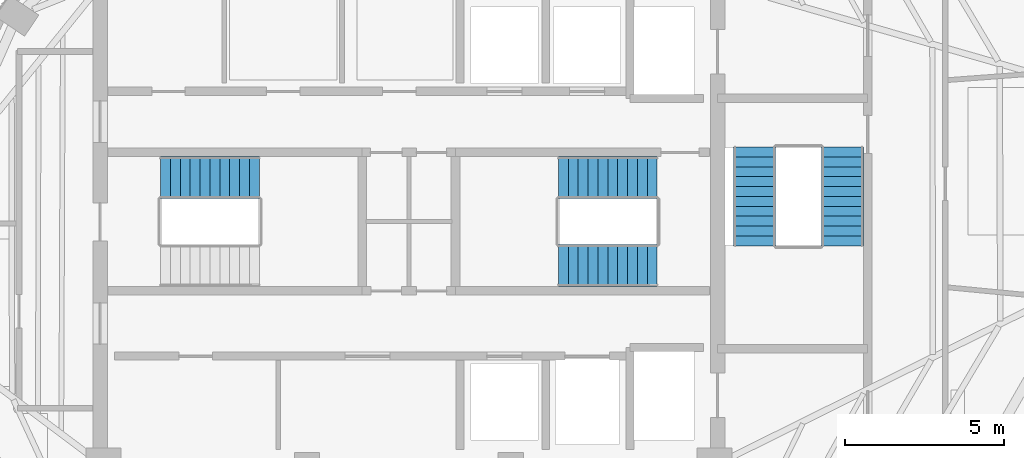
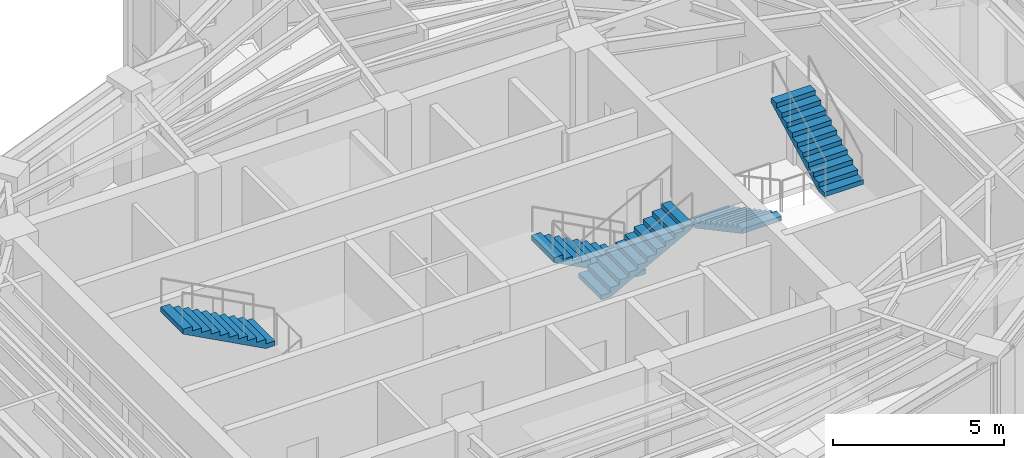
# One storey, part 13 of 15: 5 stair flights, 3 elements without a shape of their own.
"""IFC4 building model written with IfcOpenShell, lengths in metres."""

import ifcopenshell
import ifcopenshell.guid

model = None  # the IFC model being written
_history = None  # IfcOwnerHistory: only IFC2X3 demands one
_inside = {}  # id of a spatial element -> (the spatial element, [elements in it])
_under = {}  # id of a project, library or spatial element -> (it, [spatial elements below it])
_declared = {}  # id of a project -> (the project, [libraries it declares])
_typed = {}  # id of a type object -> (the type object, [elements of that type])
_made_of = {}  # id of a material, layer set ... -> (it, [elements and type objects made of it])


def new_model(schema):
    """Start an empty IFC model of exactly this schema.

    Asked for "IFC4X3", IfcOpenShell would pick the latest addendum, in which some entities
    have other attributes; the version numbers below select the first issue.
    IFC2X3 requires an IfcOwnerHistory on every rooted entity: one is made here for all.
    """
    global model, _history
    if schema == "IFC4X3":
        model = ifcopenshell.file(schema_version=(4, 3, 0, 0))
    else:
        model = ifcopenshell.file(schema=schema)
    _inside.clear()
    _under.clear()
    _declared.clear()
    _typed.clear()
    _made_of.clear()
    _history = None
    if model.schema == "IFC2X3":
        org = make("IfcOrganization", Name="unknown")
        user = make(
            "IfcPersonAndOrganization",
            ThePerson=make("IfcPerson", FamilyName="unknown"),
            TheOrganization=org,
        )
        app = make(
            "IfcApplication",
            ApplicationDeveloper=org,
            Version="unknown",
            ApplicationFullName="unknown",
            ApplicationIdentifier="unknown",
        )
        _history = make(
            "IfcOwnerHistory",
            OwningUser=user,
            OwningApplication=app,
            ChangeAction="ADDED",
            CreationDate=0,
        )
    return model


def make(cls, **values):
    """One entity of the class cls with the attributes given. An attribute that is None is left unset."""
    return model.create_entity(
        cls, **{name: value for name, value in values.items() if value is not None}
    )


def rooted(cls, **values):
    """An entity with a GlobalId (a new one), such as an element, a storey or a relation."""
    return make(cls, GlobalId=ifcopenshell.guid.new(), OwnerHistory=_history, **values)


def si_unit(unit_type, name, prefix=None):
    """IfcSIUnit, for example si_unit("LENGTHUNIT", "METRE", prefix="MILLI")."""
    return make("IfcSIUnit", UnitType=unit_type, Prefix=prefix, Name=name)


def assignment(units):
    """IfcUnitAssignment: the units of a project."""
    return None if units is None else make("IfcUnitAssignment", Units=units)


def point(xyz):
    """IfcCartesianPoint."""
    return None if xyz is None else make("IfcCartesianPoint", Coordinates=xyz)


def direction(xyz):
    """IfcDirection."""
    return None if xyz is None else make("IfcDirection", DirectionRatios=xyz)


def frame(location, z_axis=None, x_axis=None):
    """IfcAxis2Placement3D, a coordinate frame: its origin and axes. An axis left out is left unset."""
    return make(
        "IfcAxis2Placement3D",
        Location=point(location),
        Axis=direction(z_axis),
        RefDirection=direction(x_axis),
    )


def origin():
    """The frame at (0, 0, 0) with its axes left unset."""
    return frame((0.0, 0.0, 0.0))


def place(relative_to, where):
    """IfcLocalPlacement: puts the frame where relative to a parent placement (None: the world)."""
    return make(
        "IfcLocalPlacement", PlacementRelTo=relative_to, RelativePlacement=where
    )


def context(
    kind, dimensions, precision=None, world=None, true_north=None, identifier=None
):
    """IfcGeometricRepresentationContext, for example the 3D "Model" context."""
    return make(
        "IfcGeometricRepresentationContext",
        ContextIdentifier=identifier,
        ContextType=kind,
        CoordinateSpaceDimension=dimensions,
        Precision=precision,
        WorldCoordinateSystem=world,
        TrueNorth=true_north,
    )


def subcontext(parent, identifier, kind, view, scale=None):
    """IfcGeometricRepresentationSubContext, for example "Body" below "Model"."""
    return make(
        "IfcGeometricRepresentationSubContext",
        ContextIdentifier=identifier,
        ContextType=kind,
        ParentContext=parent,
        TargetScale=scale,
        TargetView=view,
    )


def project(units=None, contexts=None):
    """IfcProject with its units and contexts."""
    return rooted(
        "IfcProject",
        Name="project",
        RepresentationContexts=contexts,
        UnitsInContext=assignment(units),
    )


def spatial(cls, under=None, at=None, **own):
    """A site, building, storey or space (cls), placed at a placement, below another one or the project."""
    s = rooted(cls, ObjectPlacement=at, **own)
    if under is not None:
        _under.setdefault(under.id(), (under, []))[1].append(s)
    return s


def polyline(points):
    """IfcPolyline through the points."""
    return make("IfcPolyline", Points=[point(p) for p in points])


def outline(outer, holes=None, kind="AREA"):
    """IfcArbitraryClosedProfileDef: a profile drawn as a closed curve; with holes, ...WithVoids."""
    if holes is None:
        return make("IfcArbitraryClosedProfileDef", ProfileType=kind, OuterCurve=outer)
    return make(
        "IfcArbitraryProfileDefWithVoids",
        ProfileType=kind,
        OuterCurve=outer,
        InnerCurves=holes,
    )


def extrude(swept, where, along, depth):
    """IfcExtrudedAreaSolid: the profile swept, set in the frame where, extruded along a direction by depth."""
    return make(
        "IfcExtrudedAreaSolid",
        SweptArea=swept,
        Position=where,
        ExtrudedDirection=direction(along),
        Depth=depth,
    )


def shape(context_of_items, identifier, shape_type, items):
    """IfcShapeRepresentation: the items that make up one representation, for example the "Body"."""
    return make(
        "IfcShapeRepresentation",
        ContextOfItems=context_of_items,
        RepresentationIdentifier=identifier,
        RepresentationType=shape_type,
        Items=items,
    )


def material(Name=None, Category=None):
    """IfcMaterial."""
    return make("IfcMaterial", Name=Name, Category=Category)


def made_of(thing, what):
    """Note that an element or type object is made of a material, layer set ...; save() writes the relation."""
    if what is not None:
        _made_of.setdefault(what.id(), (what, []))[1].append(thing)
    return thing


def type_object(cls, material=None, **own):
    """A type object (cls), such as IfcWallType, which elements share."""
    return made_of(rooted(cls, **own), material)


def element(
    cls,
    number,
    at=None,
    inside=None,
    cuts=None,
    type_object=None,
    material=None,
    context=None,
    identifier="Body",
    shape_type=None,
    held_by="IfcProductDefinitionShape",
    body=None,
    shapes=None,
    **own,
):
    """One element of the class cls, such as IfcWall. Its Tag is "e" and its number.

    at: its placement. inside: the storey or other place that contains it. cuts: it is an
    opening in that element (IfcRelVoidsElement). A single representation is given by context,
    identifier, shape_type and body (its items); several are given by shapes. held_by: the class
    of the entity that holds the representations. save() writes the other relations.
    """
    e = rooted(cls, Tag="e%d" % number, ObjectPlacement=at, **own)
    if body is not None:
        shapes = [shape(context, identifier, shape_type, body)]
    if shapes is not None:
        e.Representation = make(held_by, Representations=shapes)
    if inside is not None:
        _inside.setdefault(inside.id(), (inside, []))[1].append(e)
    if cuts is not None:
        rooted(
            "IfcRelVoidsElement", RelatingBuildingElement=cuts, RelatedOpeningElement=e
        )
    if type_object is not None:
        _typed.setdefault(type_object.id(), (type_object, []))[1].append(e)
    return made_of(e, material)


def aggregate(whole, parts):
    """IfcRelAggregates: a whole, such as a stair, and the parts it consists of."""
    return rooted("IfcRelAggregates", RelatingObject=whole, RelatedObjects=parts)


def save(model, path):
    """Write the relations noted so far, then the file.

    IfcRelAggregates (storeys below a building ...), IfcRelContainedInSpatialStructure (elements
    in a storey), IfcRelDefinesByType, IfcRelAssociatesMaterial and IfcRelDeclares: one each for
    every whole, place, type object, material and project.
    """
    for whole, parts in _under.values():
        aggregate(whole, parts)
    for where, things in _inside.values():
        rooted(
            "IfcRelContainedInSpatialStructure",
            RelatedElements=things,
            RelatingStructure=where,
        )
    for kind, things in _typed.values():
        rooted("IfcRelDefinesByType", RelatedObjects=things, RelatingType=kind)
    for what, things in _made_of.values():
        rooted("IfcRelAssociatesMaterial", RelatedObjects=things, RelatingMaterial=what)
    for by, libraries in _declared.values():
        rooted("IfcRelDeclares", RelatingContext=by, RelatedDefinitions=libraries)
    model.write(path)


model = new_model("IFC4")

# Units and contexts
model_context = context("Model", 3, precision=1e-05, world=origin(), true_north=direction((0.0, 1.0)))
body_context = subcontext(model_context, "Body", "Model", "MODEL_VIEW")
ifc_project = project(units=[si_unit("LENGTHUNIT", "METRE"), si_unit("AREAUNIT", "SQUARE_METRE"), si_unit("VOLUMEUNIT", "CUBIC_METRE"), si_unit("PLANEANGLEUNIT", "RADIAN"), si_unit("MASSUNIT", "GRAM", prefix="KILO")], contexts=[model_context])

# Site, building, storey
site_placement = place(None, origin())
site = spatial("IfcSite", under=ifc_project, at=site_placement, CompositionType="ELEMENT")
building_placement = place(site_placement, origin())
building = spatial("IfcBuilding", under=site, at=building_placement, Name="Lazwardi Medical Tower", CompositionType="ELEMENT")
storey_placement = place(building_placement, frame((0.0, 0.0, 284.2080078125)))
storey = spatial("IfcBuildingStorey", under=building, at=storey_placement, Name="L74", CompositionType="ELEMENT", Elevation=284.2080078125)

# Stair, stair flight
ifc_material = material(Name="Concrete C45/55", Category="concrete")
stair_type = type_object("IfcStairType", Name="STR-WRD", PredefinedType="HALF_TURN_STAIR", material=ifc_material)
stair_1_placement = place(storey_placement, origin())
stair_1 = element("IfcStair", 1, at=stair_1_placement, inside=storey, type_object=stair_type, Name="L74 Protected Exit Stair ST1", PredefinedType="HALF_TURN_STAIR")
stair_flight_type = type_object("IfcStairFlightType", Name="FLT-WRD", PredefinedType="STRAIGHT", material=ifc_material)
stair_flight_1_placement = place(storey_placement, frame((31.300048828125, 29.43994140625, 1.823974609375), z_axis=(0.0, 0.0, 1.0), x_axis=(-1.0, 0.0, 0.0)))
stair_flight_1 = element("IfcStairFlight", 2, at=stair_flight_1_placement, type_object=stair_flight_type, Name="ST1 flight 2", NumberOfRisers=11, NumberOfTreads=10, PredefinedType="STRAIGHT", RiserHeight=0.165818182, TreadLength=0.31, context=body_context, shape_type="SweptSolid", body=[
    extrude(outline(polyline([(0.0, 0.0), (0.0, 0.165771484375), (0.31005859375, 0.165771484375), (0.31005859375, 0.33154296875), (0.6201171875, 0.33154296875), (0.6201171875, 0.49755859375), (0.929931640625, 0.49755859375), (0.929931640625, 0.663330078125), (1.239990234375, 0.663330078125), (1.239990234375, 0.8291015625), (1.550048828125, 0.8291015625), (1.550048828125, 0.994873046875), (1.860107421875, 0.994873046875), (1.860107421875, 1.16064453125), (2.169921875, 1.16064453125), (2.169921875, 1.32666015625), (2.47998046875, 1.32666015625), (2.47998046875, 1.492431640625), (2.7900390625, 1.492431640625), (2.7900390625, 1.658203125), (3.10009765625, 1.658203125), (3.10009765625, 1.823974609375), (3.10009765625, 1.48828125), (0.31787109375, 0.0), (0.0, 0.0)])), frame((0.0, 0.66015625, 0.0), z_axis=(0.0, -1.0, 0.0), x_axis=(1.0, 0.0, 0.0)), (0.0, 0.0, 1.0), 1.320068359375),
])
aggregate(stair_1, [stair_flight_1])

# Stair, stair flights
stair_2_placement = place(storey_placement, origin())
stair_2 = element("IfcStair", 3, at=stair_2_placement, inside=storey, type_object=stair_type, Name="L74 Protected Exit Stair ST2", PredefinedType="HALF_TURN_STAIR")
stair_flight_2_placement = place(storey_placement, frame((43.800048828125, 29.43994140625, 0.0), z_axis=(0.0, 0.0, 1.0), x_axis=(-1.0, 0.0, 0.0)))
stair_flight_2 = element("IfcStairFlight", 4, at=stair_flight_2_placement, type_object=stair_flight_type, Name="ST2 flight 1", NumberOfRisers=11, NumberOfTreads=10, PredefinedType="STRAIGHT", RiserHeight=0.165818182, TreadLength=0.31, context=body_context, shape_type="SweptSolid", body=[
    extrude(outline(polyline([(0.0, 0.0), (0.0, 0.165771484375), (0.31005859375, 0.165771484375), (0.31005859375, 0.33154296875), (0.6201171875, 0.33154296875), (0.6201171875, 0.49755859375), (0.929931640625, 0.49755859375), (0.929931640625, 0.663330078125), (1.239990234375, 0.663330078125), (1.239990234375, 0.8291015625), (1.550048828125, 0.8291015625), (1.550048828125, 0.994873046875), (1.860107421875, 0.994873046875), (1.860107421875, 1.16064453125), (2.169921875, 1.16064453125), (2.169921875, 1.32666015625), (2.47998046875, 1.32666015625), (2.47998046875, 1.492431640625), (2.7900390625, 1.492431640625), (2.7900390625, 1.658203125), (3.10009765625, 1.658203125), (3.10009765625, 1.823974609375), (3.10009765625, 1.48828125), (0.31787109375, 0.0), (0.0, 0.0)])), frame((0.0, 0.66015625, 0.0), z_axis=(0.0, -1.0, 0.0), x_axis=(1.0, 0.0, 0.0)), (0.0, 0.0, 1.0), 1.320068359375),
])
stair_flight_3_placement = place(storey_placement, frame((40.699951171875, 26.679931640625, 1.823974609375), z_axis=(0.0, 0.0, 1.0), x_axis=(1.0, 0.0, 0.0)))
stair_flight_3 = element("IfcStairFlight", 5, at=stair_flight_3_placement, type_object=stair_flight_type, Name="ST2 flight 2", NumberOfRisers=11, NumberOfTreads=10, PredefinedType="STRAIGHT", RiserHeight=0.165818182, TreadLength=0.31, context=body_context, shape_type="SweptSolid", body=[
    extrude(outline(polyline([(0.0, 0.0), (0.0, 0.165771484375), (0.31005859375, 0.165771484375), (0.31005859375, 0.33154296875), (0.6201171875, 0.33154296875), (0.6201171875, 0.49755859375), (0.929931640625, 0.49755859375), (0.929931640625, 0.663330078125), (1.239990234375, 0.663330078125), (1.239990234375, 0.8291015625), (1.550048828125, 0.8291015625), (1.550048828125, 0.994873046875), (1.860107421875, 0.994873046875), (1.860107421875, 1.16064453125), (2.169921875, 1.16064453125), (2.169921875, 1.32666015625), (2.47998046875, 1.32666015625), (2.47998046875, 1.492431640625), (2.7900390625, 1.492431640625), (2.7900390625, 1.658203125), (3.10009765625, 1.658203125), (3.10009765625, 1.823974609375), (3.10009765625, 1.48828125), (0.31787109375, 0.0), (0.0, 0.0)])), frame((0.0, 0.66015625, 0.0), z_axis=(0.0, -1.0, 0.0), x_axis=(1.0, 0.0, 0.0)), (0.0, 0.0, 1.0), 1.320068359375),
])
aggregate(stair_2, [stair_flight_2, stair_flight_3])

stair_3_placement = place(storey_placement, origin())
stair_3 = element("IfcStair", 6, at=stair_3_placement, inside=storey, type_object=stair_type, Name="L74 Protected Exit Stair ST3", PredefinedType="HALF_TURN_STAIR")
stair_flight_4_placement = place(storey_placement, frame((46.860107421875, 30.39990234375, 0.0), z_axis=(0.0, 0.0, 1.0), x_axis=(0.0, -1.0, 0.0)))
stair_flight_4 = element("IfcStairFlight", 7, at=stair_flight_4_placement, type_object=stair_flight_type, Name="ST3 flight 1", NumberOfRisers=11, NumberOfTreads=10, PredefinedType="STRAIGHT", RiserHeight=0.165818182, TreadLength=0.31, context=body_context, shape_type="SweptSolid", body=[
    extrude(outline(polyline([(0.0, 0.0), (0.0, 0.165771484375), (0.31005859375, 0.165771484375), (0.31005859375, 0.33154296875), (0.6201171875, 0.33154296875), (0.6201171875, 0.49755859375), (0.929931640625, 0.49755859375), (0.929931640625, 0.663330078125), (1.239990234375, 0.663330078125), (1.239990234375, 0.8291015625), (1.550048828125, 0.8291015625), (1.550048828125, 0.994873046875), (1.860107421875, 0.994873046875), (1.860107421875, 1.16064453125), (2.169921875, 1.16064453125), (2.169921875, 1.32666015625), (2.47998046875, 1.32666015625), (2.47998046875, 1.492431640625), (2.7900390625, 1.492431640625), (2.7900390625, 1.658203125), (3.10009765625, 1.658203125), (3.10009765625, 1.823974609375), (3.10009765625, 1.48828125), (0.31787109375, 0.0), (0.0, 0.0)])), frame((0.0, 0.66015625, 0.0), z_axis=(0.0, -1.0, 0.0), x_axis=(1.0, 0.0, 0.0)), (0.0, 0.0, 1.0), 1.320068359375),
])
stair_flight_5_placement = place(storey_placement, frame((49.6201171875, 27.300048828125, 1.823974609375), z_axis=(0.0, 0.0, 1.0), x_axis=(0.0, 1.0, 0.0)))
stair_flight_5 = element("IfcStairFlight", 8, at=stair_flight_5_placement, type_object=stair_flight_type, Name="ST3 flight 2", NumberOfRisers=11, NumberOfTreads=10, PredefinedType="STRAIGHT", RiserHeight=0.165818182, TreadLength=0.31, context=body_context, shape_type="SweptSolid", body=[
    extrude(outline(polyline([(0.0, 0.0), (0.0, 0.165771484375), (0.31005859375, 0.165771484375), (0.31005859375, 0.33154296875), (0.6201171875, 0.33154296875), (0.6201171875, 0.49755859375), (0.929931640625, 0.49755859375), (0.929931640625, 0.663330078125), (1.239990234375, 0.663330078125), (1.239990234375, 0.8291015625), (1.550048828125, 0.8291015625), (1.550048828125, 0.994873046875), (1.860107421875, 0.994873046875), (1.860107421875, 1.16064453125), (2.169921875, 1.16064453125), (2.169921875, 1.32666015625), (2.47998046875, 1.32666015625), (2.47998046875, 1.492431640625), (2.7900390625, 1.492431640625), (2.7900390625, 1.658203125), (3.10009765625, 1.658203125), (3.10009765625, 1.823974609375), (3.10009765625, 1.48828125), (0.31787109375, 0.0), (0.0, 0.0)])), frame((0.0, 0.66015625, 0.0), z_axis=(0.0, -1.0, 0.0), x_axis=(1.0, 0.0, 0.0)), (0.0, 0.0, 1.0), 1.320068359375),
])
aggregate(stair_3, [stair_flight_4, stair_flight_5])

save(model, "model.ifc")
